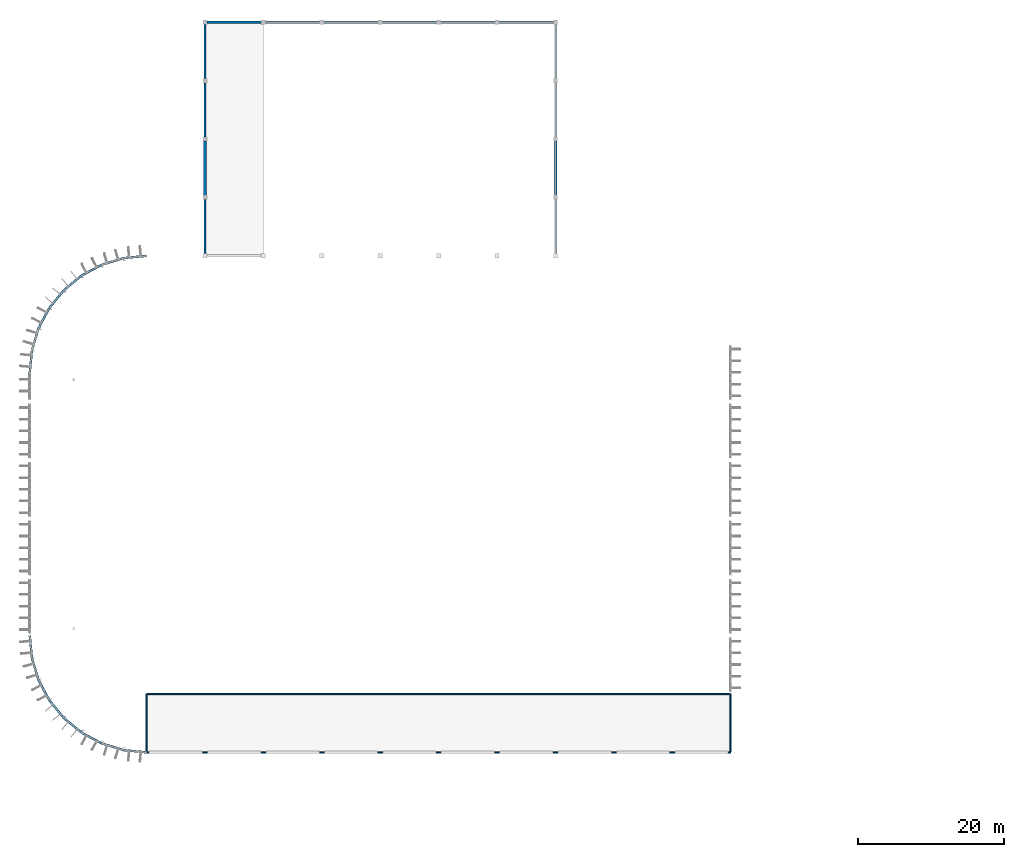
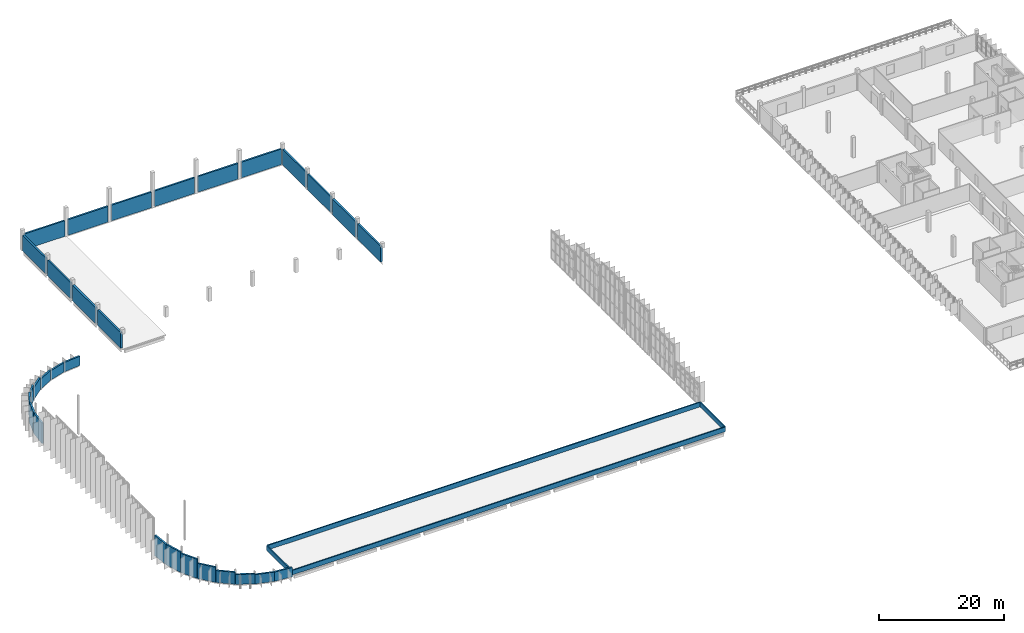
# One storey, part 26 of 38: 34 walls.
"""IFC4 building model written with IfcOpenShell, lengths in metres."""

from ifc_helpers import new_model, si_unit, direction, frame, frame_2d, origin, place, context, subcontext, project, spatial, rectangle, extrude, material, layer, layer_set, type_object, element, save


model = new_model("IFC4")

# Units and contexts
model_context = context("Model", 3, precision=1e-05, world=origin(), true_north=direction((0.0, 1.0)))
body_context = subcontext(model_context, "Body", "Model", "MODEL_VIEW")
ifc_project = project(units=[si_unit("LENGTHUNIT", "METRE"), si_unit("AREAUNIT", "SQUARE_METRE"), si_unit("VOLUMEUNIT", "CUBIC_METRE"), si_unit("PLANEANGLEUNIT", "RADIAN"), si_unit("MASSUNIT", "GRAM", prefix="KILO")], contexts=[model_context])

# Site, building, storey
site_placement = place(None, origin())
site = spatial("IfcSite", under=ifc_project, at=site_placement, CompositionType="ELEMENT")
building_placement = place(site_placement, origin())
building = spatial("IfcBuilding", under=site, at=building_placement, Name="Drelvana Railside Aquatics Centre", CompositionType="ELEMENT")
storey_placement = place(building_placement, frame((0.0, 0.0, 14.39990234375)))
storey = spatial("IfcBuildingStorey", under=building, at=storey_placement, Name="L03", CompositionType="ELEMENT", Elevation=14.39990234375)

# Walls
ifc_material_1 = material(Name="Terracotta rainscreen masonry wall", Category="masonry")
ifc_layer_1 = layer(ifc_material_1, 0.31005859375, Name="Terracotta rainscreen masonry wall")
ifc_layer_set_1 = layer_set([ifc_layer_1], Name="Terracotta rainscreen masonry wall")
wall_type_1 = type_object("IfcWallType", Name="WL-EXT-310", PredefinedType="STANDARD", material=ifc_layer_set_1)
for number, where, z_axis, x_axis, name in (
    (1, (24.2958984375, 116.0, 0.0), (0.0, 0.0, 1.0), (1.0, 0.0, 0.0), "Diving Hall upper north wall 5"),
    (2, (32.2958984375, 116.0, 0.0), (0.0, 0.0, 1.0), (1.0, 0.0, 0.0), "Diving Hall upper north wall 6"),
    (3, (40.2958984375, 116.0, 0.0), (0.0, 0.0, 1.0), (1.0, 0.0, 0.0), "Diving Hall upper north wall 7"),
    (4, (48.2958984375, 116.0, 0.0), (0.0, 0.0, 1.0), (1.0, 0.0, 0.0), "Diving Hall upper north wall 8"),
    (5, (56.2958984375, 116.0, 0.0), (0.0, 0.0, 1.0), (1.0, 0.0, 0.0), "Diving Hall upper north wall 9"),
    (6, (64.2958984375, 116.0, 0.0), (0.0, 0.0, 1.0), (1.0, 0.0, 0.0), "Diving Hall upper north wall 10"),
):
    element("IfcWall", number, at=place(storey_placement, frame(where, z_axis=z_axis, x_axis=x_axis)), inside=storey, type_object=wall_type_1, Name=name, PredefinedType="STANDARD", context=body_context, shape_type="SweptSolid", body=[
        extrude(rectangle(XDim=7.408203125, YDim=0.31005859375, at=frame_2d((3.7041015625, 0.0))), origin(), (0.0, 0.0, 1.0), 3.06005859375),
    ])
wall_1_placement = place(storey_placement, frame((0.0, 32.0, -0.2998046875), z_axis=(0.0, 0.0, 1.0), x_axis=(0.098000751113, -0.995186340733, 0.0)))
element("IfcWall", 7, at=wall_1_placement, inside=storey, type_object=wall_type_1, Name="V1SW upper curved clerestory wall 1", PredefinedType="STANDARD", context=body_context, shape_type="SweptSolid", body=[
    extrude(rectangle(XDim=3.136474609375, YDim=0.31005859375, at=frame_2d((1.568359375, 0.0))), origin(), (0.0, 0.0, 1.0), 3.97998046875),
])
wall_2_placement = place(storey_placement, frame((0.307373046875, 28.878662109375, -0.2998046875), z_axis=(0.0, 0.0, 1.0), x_axis=(0.29030980253, -0.956932713703, 0.0)))
element("IfcWall", 8, at=wall_2_placement, inside=storey, type_object=wall_type_1, Name="V1SW upper curved clerestory wall 2", PredefinedType="STANDARD", context=body_context, shape_type="SweptSolid", body=[
    extrude(rectangle(XDim=3.13671875, YDim=0.31005859375, at=frame_2d((1.568359375, 0.0))), origin(), (0.0, 0.0, 1.0), 3.97998046875),
])
wall_3_placement = place(storey_placement, frame((1.218017578125, 25.876953125, -0.2998046875), z_axis=(0.0, 0.0, 1.0), x_axis=(0.471396060548, -0.881921625826, 0.0)))
element("IfcWall", 9, at=wall_3_placement, inside=storey, type_object=wall_type_1, Name="V1SW upper curved clerestory wall 3", PredefinedType="STANDARD", context=body_context, shape_type="SweptSolid", body=[
    extrude(rectangle(XDim=3.136474609375, YDim=0.31005859375, at=frame_2d((1.568359375, 0.0))), origin(), (0.0, 0.0, 1.0), 3.743896484375),
])
wall_4_placement = place(storey_placement, frame((2.696533203125, 23.11083984375, -0.2998046875), z_axis=(0.0, 0.0, 1.0), x_axis=(0.634385792339, -0.773016601683, 0.0)))
element("IfcWall", 10, at=wall_4_placement, inside=storey, type_object=wall_type_1, Name="V1SW upper curved clerestory wall 4", PredefinedType="STANDARD", context=body_context, shape_type="SweptSolid", body=[
    extrude(rectangle(XDim=3.136474609375, YDim=0.31005859375, at=frame_2d((1.568359375, 0.0))), origin(), (0.0, 0.0, 1.0), 2.958984375),
])
wall_5_placement = place(storey_placement, frame((4.686279296875, 20.686279296875, -0.2998046875), z_axis=(0.0, 0.0, 1.0), x_axis=(0.773016601683, -0.634385792339, 0.0)))
element("IfcWall", 11, at=wall_5_placement, inside=storey, type_object=wall_type_1, Name="V1SW upper curved clerestory wall 5", PredefinedType="STANDARD", context=body_context, shape_type="SweptSolid", body=[
    extrude(rectangle(XDim=3.136474609375, YDim=0.31005859375, at=frame_2d((1.568359375, 0.0))), origin(), (0.0, 0.0, 1.0), 2.3388671875),
])
wall_6_placement = place(storey_placement, frame((7.11083984375, 18.696533203125, -0.2998046875), z_axis=(0.0, 0.0, 1.0), x_axis=(0.881921625826, -0.471396060548, 0.0)))
element("IfcWall", 12, at=wall_6_placement, inside=storey, type_object=wall_type_1, Name="V1SW upper curved clerestory wall 6", PredefinedType="STANDARD", context=body_context, shape_type="SweptSolid", body=[
    extrude(rectangle(XDim=3.136474609375, YDim=0.31005859375, at=frame_2d((1.568359375, 0.0))), origin(), (0.0, 0.0, 1.0), 1.94189453125),
])
wall_7_placement = place(storey_placement, frame((9.876953125, 17.218017578125, -0.2998046875), z_axis=(0.0, 0.0, 1.0), x_axis=(0.956932713703, -0.29030980253, 0.0)))
element("IfcWall", 13, at=wall_7_placement, inside=storey, type_object=wall_type_1, Name="V1SW upper curved clerestory wall 7", PredefinedType="STANDARD", context=body_context, shape_type="SweptSolid", body=[
    extrude(rectangle(XDim=3.13671875, YDim=0.31005859375, at=frame_2d((1.568359375, 0.0))), origin(), (0.0, 0.0, 1.0), 1.81494140625),
])
for number, where, z_axis, x_axis, name in (
    (14, (12.878662109375, 16.307373046875, -0.2998046875), (0.0, 0.0, 1.0), (0.995186340733, -0.098000751113, 0.0), "V1SW upper curved clerestory wall 8"),
    (15, (16.0, 84.0, -0.2998046875), (0.0, 0.0, 1.0), (-0.995186340733, -0.098000751113, 0.0), "V1NW upper curved clerestory wall 1"),
):
    element("IfcWall", number, at=place(storey_placement, frame(where, z_axis=z_axis, x_axis=x_axis)), inside=storey, type_object=wall_type_1, Name=name, PredefinedType="STANDARD", context=body_context, shape_type="SweptSolid", body=[
        extrude(rectangle(XDim=3.136474609375, YDim=0.31005859375, at=frame_2d((1.568359375, 0.0))), origin(), (0.0, 0.0, 1.0), 1.81494140625),
    ])
wall_8_placement = place(storey_placement, frame((12.878662109375, 83.692626953125, -0.2998046875), z_axis=(0.0, 0.0, 1.0), x_axis=(-0.956932713703, -0.29030980253, 0.0)))
element("IfcWall", 16, at=wall_8_placement, inside=storey, type_object=wall_type_1, Name="V1NW upper curved clerestory wall 2", PredefinedType="STANDARD", context=body_context, shape_type="SweptSolid", body=[
    extrude(rectangle(XDim=3.13671875, YDim=0.31005859375, at=frame_2d((1.568359375, 0.0))), origin(), (0.0, 0.0, 1.0), 1.81494140625),
])
wall_9_placement = place(storey_placement, frame((9.876953125, 82.781982421875, -0.2998046875), z_axis=(0.0, 0.0, 1.0), x_axis=(-0.881921625826, -0.471396060548, 0.0)))
element("IfcWall", 17, at=wall_9_placement, inside=storey, type_object=wall_type_1, Name="V1NW upper curved clerestory wall 3", PredefinedType="STANDARD", context=body_context, shape_type="SweptSolid", body=[
    extrude(rectangle(XDim=3.136474609375, YDim=0.31005859375, at=frame_2d((1.568359375, 0.0))), origin(), (0.0, 0.0, 1.0), 1.94189453125),
])
wall_10_placement = place(storey_placement, frame((7.11083984375, 81.303466796875, -0.2998046875), z_axis=(0.0, 0.0, 1.0), x_axis=(-0.773016601683, -0.634385792339, 0.0)))
element("IfcWall", 18, at=wall_10_placement, inside=storey, type_object=wall_type_1, Name="V1NW upper curved clerestory wall 4", PredefinedType="STANDARD", context=body_context, shape_type="SweptSolid", body=[
    extrude(rectangle(XDim=3.136474609375, YDim=0.31005859375, at=frame_2d((1.568359375, 0.0))), origin(), (0.0, 0.0, 1.0), 2.3388671875),
])
wall_11_placement = place(storey_placement, frame((4.686279296875, 79.313720703125, -0.2998046875), z_axis=(0.0, 0.0, 1.0), x_axis=(-0.634385792339, -0.773016601683, 0.0)))
element("IfcWall", 19, at=wall_11_placement, inside=storey, type_object=wall_type_1, Name="V1NW upper curved clerestory wall 5", PredefinedType="STANDARD", context=body_context, shape_type="SweptSolid", body=[
    extrude(rectangle(XDim=3.136474609375, YDim=0.31005859375, at=frame_2d((1.568359375, 0.0))), origin(), (0.0, 0.0, 1.0), 2.958984375),
])
wall_12_placement = place(storey_placement, frame((2.696533203125, 76.88916015625, -0.2998046875), z_axis=(0.0, 0.0, 1.0), x_axis=(-0.471396060548, -0.881921625826, 0.0)))
element("IfcWall", 20, at=wall_12_placement, inside=storey, type_object=wall_type_1, Name="V1NW upper curved clerestory wall 6", PredefinedType="STANDARD", context=body_context, shape_type="SweptSolid", body=[
    extrude(rectangle(XDim=3.136474609375, YDim=0.31005859375, at=frame_2d((1.568359375, 0.0))), origin(), (0.0, 0.0, 1.0), 3.743896484375),
])
wall_13_placement = place(storey_placement, frame((1.218017578125, 74.123046875, -0.2998046875), z_axis=(0.0, 0.0, 1.0), x_axis=(-0.29030980253, -0.956932713703, 0.0)))
element("IfcWall", 21, at=wall_13_placement, inside=storey, type_object=wall_type_1, Name="V1NW upper curved clerestory wall 7", PredefinedType="STANDARD", context=body_context, shape_type="SweptSolid", body=[
    extrude(rectangle(XDim=3.13671875, YDim=0.31005859375, at=frame_2d((1.568359375, 0.0))), origin(), (0.0, 0.0, 1.0), 3.97998046875),
])
wall_14_placement = place(storey_placement, frame((0.307373046875, 71.121337890625, -0.2998046875), z_axis=(0.0, 0.0, 1.0), x_axis=(-0.098000751113, -0.995186340733, 0.0)))
element("IfcWall", 22, at=wall_14_placement, inside=storey, type_object=wall_type_1, Name="V1NW upper curved clerestory wall 8", PredefinedType="STANDARD", context=body_context, shape_type="SweptSolid", body=[
    extrude(rectangle(XDim=3.136474609375, YDim=0.31005859375, at=frame_2d((1.568359375, 0.0))), origin(), (0.0, 0.0, 1.0), 3.97998046875),
])
wall_15_placement = place(storey_placement, frame((24.0, 84.345947265625, 0.0), z_axis=(0.0, 0.0, 1.0), x_axis=(0.0, 1.0, 0.0)))
element("IfcWall", 23, at=wall_15_placement, inside=storey, type_object=wall_type_1, Name="Diving Hall West clerestory spandrel", PredefinedType="STANDARD", context=body_context, shape_type="SweptSolid", body=[
    extrude(rectangle(XDim=7.358154296875, YDim=0.31005859375, at=frame_2d((3.67919921875, 0.0))), origin(), (0.0, 0.0, 1.0), 3.06005859375),
])
for number, where, z_axis, x_axis, name in (
    (24, (24.0, 100.2958984375, 0.0), (0.0, 0.0, 1.0), (0.0, 1.0, 0.0), "Diving Hall West clerestory spandrel"),
    (25, (24.0, 108.2958984375, 0.0), (0.0, 0.0, 1.0), (0.0, 1.0, 0.0), "Diving Hall West clerestory spandrel"),
):
    element("IfcWall", number, at=place(storey_placement, frame(where, z_axis=z_axis, x_axis=x_axis)), inside=storey, type_object=wall_type_1, Name=name, PredefinedType="STANDARD", context=body_context, shape_type="SweptSolid", body=[
        extrude(rectangle(XDim=7.408203125, YDim=0.31005859375, at=frame_2d((3.7041015625, 0.0))), origin(), (0.0, 0.0, 1.0), 3.06005859375),
    ])
wall_16_placement = place(storey_placement, frame((72.0, 84.345947265625, 0.0), z_axis=(0.0, 0.0, 1.0), x_axis=(0.0, 1.0, 0.0)))
element("IfcWall", 26, at=wall_16_placement, inside=storey, type_object=wall_type_1, Name="Diving Hall East clerestory spandrel", PredefinedType="STANDARD", context=body_context, shape_type="SweptSolid", body=[
    extrude(rectangle(XDim=7.358154296875, YDim=0.31005859375, at=frame_2d((3.67919921875, 0.0))), origin(), (0.0, 0.0, 1.0), 3.06005859375),
])
for number, where, z_axis, x_axis, name in (
    (27, (72.0, 100.2958984375, 0.0), (0.0, 0.0, 1.0), (0.0, 1.0, 0.0), "Diving Hall East clerestory spandrel"),
    (28, (72.0, 108.2958984375, 0.0), (0.0, 0.0, 1.0), (0.0, 1.0, 0.0), "Diving Hall East clerestory spandrel"),
):
    element("IfcWall", number, at=place(storey_placement, frame(where, z_axis=z_axis, x_axis=x_axis)), inside=storey, type_object=wall_type_1, Name=name, PredefinedType="STANDARD", context=body_context, shape_type="SweptSolid", body=[
        extrude(rectangle(XDim=7.408203125, YDim=0.31005859375, at=frame_2d((3.7041015625, 0.0))), origin(), (0.0, 0.0, 1.0), 3.06005859375),
    ])
ifc_material_2 = material(Name="Heavy thermal-mass stone facade wall", Category="masonry")
ifc_layer_2 = layer(ifc_material_2, 0.389892578125, Name="Heavy thermal-mass stone facade wall")
ifc_layer_set_2 = layer_set([ifc_layer_2], Name="Heavy thermal-mass stone facade wall")
wall_type_2 = type_object("IfcWallType", Name="WL-EXT-390", PredefinedType="STANDARD", material=ifc_layer_set_2)
for number, where, z_axis, x_axis, name in (
    (29, (24.0, 92.2958984375, 0.0), (0.0, 0.0, 1.0), (0.0, 1.0, 0.0), "Diving Hall West braced bay wall"),
    (30, (72.0, 92.2958984375, 0.0), (0.0, 0.0, 1.0), (0.0, 1.0, 0.0), "Diving Hall East braced bay wall"),
):
    element("IfcWall", number, at=place(storey_placement, frame(where, z_axis=z_axis, x_axis=x_axis)), inside=storey, type_object=wall_type_2, Name=name, PredefinedType="STANDARD", context=body_context, shape_type="SweptSolid", body=[
        extrude(rectangle(XDim=7.408203125, YDim=0.389892578125, at=frame_2d((3.7041015625, 0.0))), origin(), (0.0, 0.0, 1.0), 3.06005859375),
    ])
ifc_material_3 = material(Name="Precast concrete C40/50", Category="concrete")
ifc_layer_3 = layer(ifc_material_3, 0.2099609375, Name="Precast concrete C40/50")
ifc_layer_set_3 = layer_set([ifc_layer_3], Name="Precast concrete C40/50")
wall_type_3 = type_object("IfcWallType", Name="WL-PAR-210", PredefinedType="PARAPET", material=ifc_layer_set_3)
wall_17_placement = place(storey_placement, frame((16.0, 16.0, 0.0), z_axis=(0.0, 0.0, 1.0), x_axis=(1.0, 0.0, 0.0)))
element("IfcWall", 31, at=wall_17_placement, inside=storey, type_object=wall_type_3, Name="Roof parapet wall 5", PredefinedType="PARAPET", context=body_context, shape_type="SweptSolid", body=[
    extrude(rectangle(XDim=80.0, YDim=0.2099609375, at=frame_2d((40.0, 0.0))), origin(), (0.0, 0.0, 1.0), 0.900146484375),
])
for number, where, z_axis, x_axis, name in (
    (32, (16.0, 16.110107421875, 0.0), (0.0, 0.0, 1.0), (0.0, 1.0, 0.0), "Roof parapet wall 6"),
    (33, (96.0, 16.110107421875, 0.0), (0.0, 0.0, 1.0), (0.0, 1.0, 0.0), "Roof parapet wall 7"),
):
    element("IfcWall", number, at=place(storey_placement, frame(where, z_axis=z_axis, x_axis=x_axis)), inside=storey, type_object=wall_type_3, Name=name, PredefinedType="PARAPET", context=body_context, shape_type="SweptSolid", body=[
        extrude(rectangle(XDim=7.889892578125, YDim=0.2099609375, at=frame_2d((3.94482421875, 0.0))), origin(), (0.0, 0.0, 1.0), 0.900146484375),
    ])
wall_18_placement = place(storey_placement, frame((16.110107421875, 24.0, 0.0), z_axis=(0.0, 0.0, 1.0), x_axis=(1.0, 0.0, 0.0)))
element("IfcWall", 34, at=wall_18_placement, inside=storey, type_object=wall_type_3, Name="Roof parapet wall 8", PredefinedType="PARAPET", context=body_context, shape_type="SweptSolid", body=[
    extrude(rectangle(XDim=79.77978515625, YDim=0.2099609375, at=frame_2d((39.889892578125, 0.0))), origin(), (0.0, 0.0, 1.0), 0.900146484375),
])

save(model, "model.ifc")
